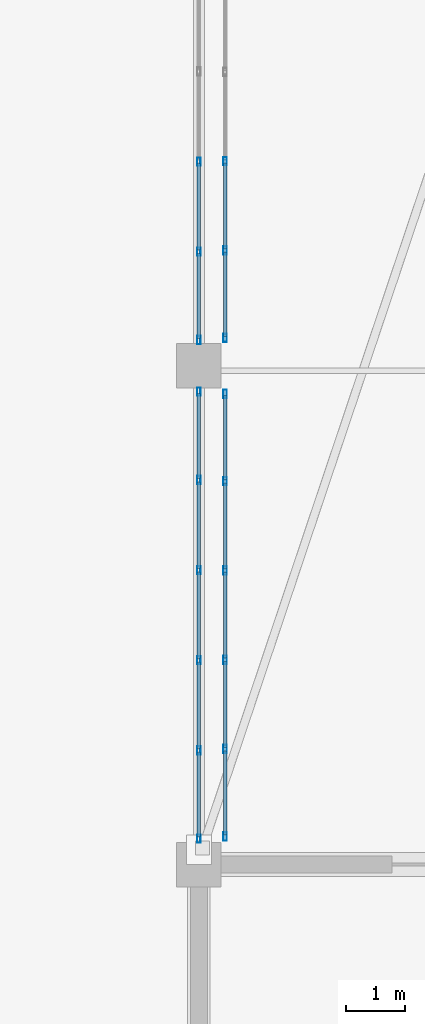
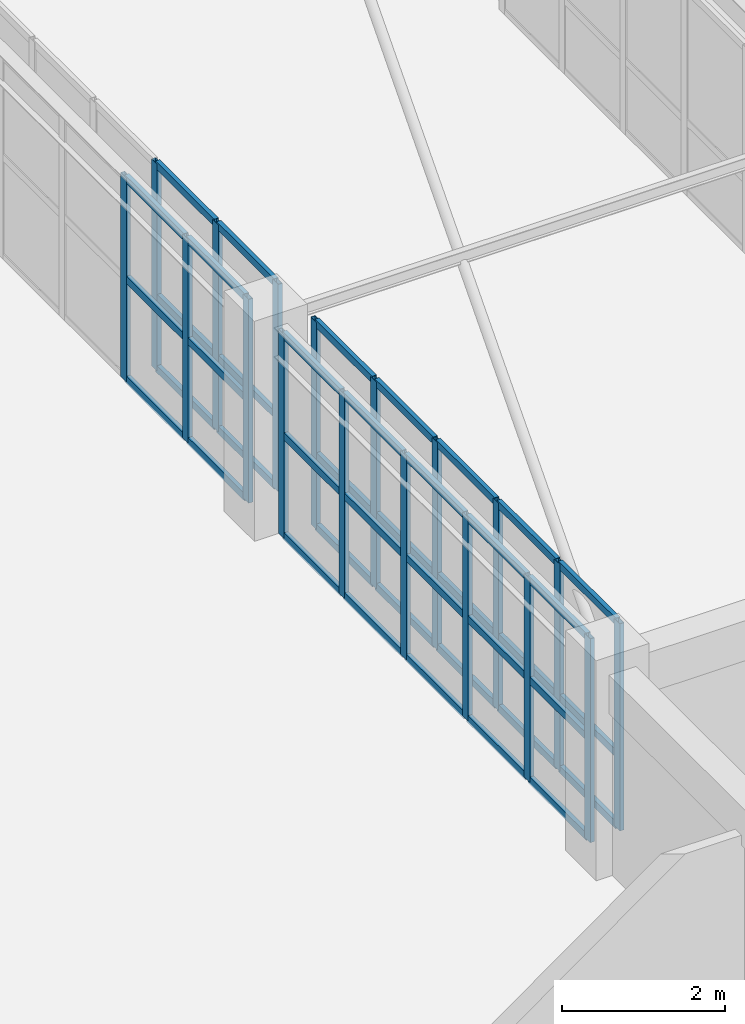
# One storey, part 92 of 200: 60 members, 4 elements without a shape of their own.
"""IFC4 building model written with IfcOpenShell, lengths in metres."""

from ifc_helpers import new_model, si_unit, direction, frame, origin, origin_2d, place, context, subcontext, project, spatial, hollow_rectangle, extrude, material, layer, layer_set, material_profile, profile_set, type_object, element, aggregate, save


model = new_model("IFC4")

# Units and contexts
model_context = context("Model", 3, precision=1e-05, world=origin(), true_north=direction((0.0, 1.0)))
body_context = subcontext(model_context, "Body", "Model", "MODEL_VIEW")
ifc_project = project(units=[si_unit("LENGTHUNIT", "METRE"), si_unit("AREAUNIT", "SQUARE_METRE"), si_unit("VOLUMEUNIT", "CUBIC_METRE"), si_unit("PLANEANGLEUNIT", "RADIAN"), si_unit("MASSUNIT", "GRAM", prefix="KILO")], contexts=[model_context])

# Site, building, storey
site_placement = place(None, origin())
site = spatial("IfcSite", under=ifc_project, at=site_placement, CompositionType="ELEMENT")
building_placement = place(site_placement, origin())
building = spatial("IfcBuilding", under=site, at=building_placement, Name="Trelvath General Hospital", CompositionType="ELEMENT")
storey_placement = place(building_placement, frame((0.0, 0.0, 4.800048828125)))
storey = spatial("IfcBuildingStorey", under=building, at=storey_placement, Name="L01", CompositionType="ELEMENT", Elevation=4.800048828125)

# Curtain wall, members
ifc_material_1 = material(Name="Anodised aluminium and low-E glass", Category="aluminium")
ifc_layer_1 = layer(ifc_material_1, 0.14990234375)
ifc_layer_set_1 = layer_set([ifc_layer_1], Name="Anodised aluminium and low-E glass")
curtain_wall_type_1 = type_object("IfcCurtainWallType", Name="CW CrystalCube 759 306 15", PredefinedType="USERDEFINED", material=ifc_layer_set_1)
curtain_wall_1_placement = place(storey_placement, origin())
curtain_wall_1 = element("IfcCurtainWall", 1, at=curtain_wall_1_placement, inside=storey, type_object=curtain_wall_type_1, Name="Crystal Cube Curtain Wall CUBE-W-T0 E5 L01", ObjectType="Unitised Glazed Curtain Wall", PredefinedType="USERDEFINED")
ifc_material_2 = material(Name="Anodised aluminium", Category="aluminium")
ifc_material_profile_1 = material_profile(ifc_material_2, hollow_rectangle(XDim=0.06005859375, YDim=0.139892578125, WallThickness=0.00390625, at=origin_2d()), Name="RHS60x140x4")
ifc_profile_set_1 = profile_set([ifc_material_profile_1], Name="Anodised aluminium")
member_type_1 = type_object("IfcMemberType", Name="CurtainMullion 60x140", PredefinedType="MULLION", material=ifc_profile_set_1)
member_1_placement = place(storey_placement, frame((75.60009765625, 75.1650390625, 0.0), z_axis=(0.0, 0.0, 1.0), x_axis=(1.0, 0.0, 0.0)))
member_1 = element("IfcMember", 2, at=member_1_placement, type_object=member_type_1, Name="CW-145 mullion 1", PredefinedType="MULLION", context=body_context, shape_type="SweptSolid", body=[
    extrude(hollow_rectangle(XDim=0.06005859375, YDim=0.139892578125, WallThickness=0.00390625, at=origin_2d()), origin(), (0.0, 0.0, 1.0), 3.06005859375),
])
member_2_placement = place(storey_placement, frame((75.60009765625, 73.677001953125, 0.0), z_axis=(0.0, 0.0, 1.0), x_axis=(1.0, 0.0, 0.0)))
member_2 = element("IfcMember", 3, at=member_2_placement, type_object=member_type_1, Name="CW-145 mullion 2", PredefinedType="MULLION", context=body_context, shape_type="SweptSolid", body=[
    extrude(hollow_rectangle(XDim=0.06005859375, YDim=0.139892578125, WallThickness=0.00390625, at=origin_2d()), origin(), (0.0, 0.0, 1.0), 3.06005859375),
])
member_3_placement = place(storey_placement, frame((75.60009765625, 72.158935546875, 0.0), z_axis=(0.0, 0.0, 1.0), x_axis=(1.0, 0.0, 0.0)))
member_3 = element("IfcMember", 4, at=member_3_placement, type_object=member_type_1, Name="CW-145 mullion 3", PredefinedType="MULLION", context=body_context, shape_type="SweptSolid", body=[
    extrude(hollow_rectangle(XDim=0.06005859375, YDim=0.139892578125, WallThickness=0.00390625, at=origin_2d()), origin(), (0.0, 0.0, 1.0), 3.06005859375),
])
member_4_placement = place(storey_placement, frame((75.60009765625, 70.64111328125, 0.0), z_axis=(0.0, 0.0, 1.0), x_axis=(1.0, 0.0, 0.0)))
member_4 = element("IfcMember", 5, at=member_4_placement, type_object=member_type_1, Name="CW-145 mullion 4", PredefinedType="MULLION", context=body_context, shape_type="SweptSolid", body=[
    extrude(hollow_rectangle(XDim=0.06005859375, YDim=0.139892578125, WallThickness=0.00390625, at=origin_2d()), origin(), (0.0, 0.0, 1.0), 3.06005859375),
])
member_5_placement = place(storey_placement, frame((75.60009765625, 69.123046875, 0.0), z_axis=(0.0, 0.0, 1.0), x_axis=(1.0, 0.0, 0.0)))
member_5 = element("IfcMember", 6, at=member_5_placement, type_object=member_type_1, Name="CW-145 mullion 5", PredefinedType="MULLION", context=body_context, shape_type="SweptSolid", body=[
    extrude(hollow_rectangle(XDim=0.06005859375, YDim=0.139892578125, WallThickness=0.00390625, at=origin_2d()), origin(), (0.0, 0.0, 1.0), 3.06005859375),
])
member_6_placement = place(storey_placement, frame((75.60009765625, 67.635009765625, 0.0), z_axis=(0.0, 0.0, 1.0), x_axis=(1.0, 0.0, 0.0)))
member_6 = element("IfcMember", 7, at=member_6_placement, type_object=member_type_1, Name="CW-145 mullion 6", PredefinedType="MULLION", context=body_context, shape_type="SweptSolid", body=[
    extrude(hollow_rectangle(XDim=0.06005859375, YDim=0.139892578125, WallThickness=0.00390625, at=origin_2d()), origin(), (0.0, 0.0, 1.0), 3.06005859375),
])

curtain_wall_2_placement = place(storey_placement, origin())
curtain_wall_2 = element("IfcCurtainWall", 8, at=curtain_wall_2_placement, inside=storey, type_object=curtain_wall_type_1, Name="Crystal Cube Curtain Wall CUBE-W-T0 E6 L01", ObjectType="Unitised Glazed Curtain Wall", PredefinedType="USERDEFINED")
member_7_placement = place(storey_placement, frame((75.60009765625, 79.041015625, 0.0), z_axis=(0.0, 0.0, 1.0), x_axis=(1.0, 0.0, 0.0)))
member_7 = element("IfcMember", 9, at=member_7_placement, type_object=member_type_1, Name="CW-147 mullion 4", PredefinedType="MULLION", context=body_context, shape_type="SweptSolid", body=[
    extrude(hollow_rectangle(XDim=0.06005859375, YDim=0.139892578125, WallThickness=0.00390625, at=origin_2d()), origin(), (0.0, 0.0, 1.0), 3.06005859375),
])
member_8_placement = place(storey_placement, frame((75.60009765625, 77.52294921875, 0.0), z_axis=(0.0, 0.0, 1.0), x_axis=(1.0, 0.0, 0.0)))
member_8 = element("IfcMember", 10, at=member_8_placement, type_object=member_type_1, Name="CW-147 mullion 5", PredefinedType="MULLION", context=body_context, shape_type="SweptSolid", body=[
    extrude(hollow_rectangle(XDim=0.06005859375, YDim=0.139892578125, WallThickness=0.00390625, at=origin_2d()), origin(), (0.0, 0.0, 1.0), 3.06005859375),
])
member_9_placement = place(storey_placement, frame((75.60009765625, 76.034912109375, 0.0), z_axis=(0.0, 0.0, 1.0), x_axis=(1.0, 0.0, 0.0)))
member_9 = element("IfcMember", 11, at=member_9_placement, type_object=member_type_1, Name="CW-147 mullion 6", PredefinedType="MULLION", context=body_context, shape_type="SweptSolid", body=[
    extrude(hollow_rectangle(XDim=0.06005859375, YDim=0.139892578125, WallThickness=0.00390625, at=origin_2d()), origin(), (0.0, 0.0, 1.0), 3.06005859375),
])

ifc_material_3 = material(Name="Anodised aluminium and low-E glass", Category="aluminium")
ifc_layer_2 = layer(ifc_material_3, 0.139892578125)
ifc_layer_set_2 = layer_set([ifc_layer_2], Name="Anodised aluminium and low-E glass")
curtain_wall_type_2 = type_object("IfcCurtainWallType", Name="CW Bridge 752 311", PredefinedType="USERDEFINED", material=ifc_layer_set_2)
curtain_wall_3_placement = place(storey_placement, origin())
curtain_wall_3 = element("IfcCurtainWall", 12, at=curtain_wall_3_placement, inside=storey, type_object=curtain_wall_type_2, Name="Glazed Bridge Curtain Wall BRG-N-C W L01", ObjectType="Unitised Glazed Curtain Wall", PredefinedType="USERDEFINED")
member_10_placement = place(storey_placement, frame((76.0400390625, 67.669921875, 0.0), z_axis=(0.0, 0.0, 1.0), x_axis=(-1.0, 0.0, 0.0)))
member_10 = element("IfcMember", 13, at=member_10_placement, type_object=member_type_1, Name="CW-172 mullion 1", PredefinedType="MULLION", context=body_context, shape_type="SweptSolid", body=[
    extrude(hollow_rectangle(XDim=0.06005859375, YDim=0.139892578125, WallThickness=0.00390625, at=origin_2d()), origin(), (0.0, 0.0, 1.0), 3.10986328125),
])
member_11_placement = place(storey_placement, frame((76.0400390625, 69.14404296875, 0.0), z_axis=(0.0, 0.0, 1.0), x_axis=(-1.0, 0.0, 0.0)))
member_11 = element("IfcMember", 14, at=member_11_placement, type_object=member_type_1, Name="CW-172 mullion 2", PredefinedType="MULLION", context=body_context, shape_type="SweptSolid", body=[
    extrude(hollow_rectangle(XDim=0.06005859375, YDim=0.139892578125, WallThickness=0.00390625, at=origin_2d()), origin(), (0.0, 0.0, 1.0), 3.10986328125),
])
member_12_placement = place(storey_placement, frame((76.0400390625, 70.64794921875, 0.0), z_axis=(0.0, 0.0, 1.0), x_axis=(-1.0, 0.0, 0.0)))
member_12 = element("IfcMember", 15, at=member_12_placement, type_object=member_type_1, Name="CW-172 mullion 3", PredefinedType="MULLION", context=body_context, shape_type="SweptSolid", body=[
    extrude(hollow_rectangle(XDim=0.06005859375, YDim=0.139892578125, WallThickness=0.00390625, at=origin_2d()), origin(), (0.0, 0.0, 1.0), 3.10986328125),
])
member_13_placement = place(storey_placement, frame((76.0400390625, 72.152099609375, 0.0), z_axis=(0.0, 0.0, 1.0), x_axis=(-1.0, 0.0, 0.0)))
member_13 = element("IfcMember", 16, at=member_13_placement, type_object=member_type_1, Name="CW-172 mullion 4", PredefinedType="MULLION", context=body_context, shape_type="SweptSolid", body=[
    extrude(hollow_rectangle(XDim=0.06005859375, YDim=0.139892578125, WallThickness=0.00390625, at=origin_2d()), origin(), (0.0, 0.0, 1.0), 3.10986328125),
])
member_14_placement = place(storey_placement, frame((76.0400390625, 73.656005859375, 0.0), z_axis=(0.0, 0.0, 1.0), x_axis=(-1.0, 0.0, 0.0)))
member_14 = element("IfcMember", 17, at=member_14_placement, type_object=member_type_1, Name="CW-172 mullion 5", PredefinedType="MULLION", context=body_context, shape_type="SweptSolid", body=[
    extrude(hollow_rectangle(XDim=0.06005859375, YDim=0.139892578125, WallThickness=0.00390625, at=origin_2d()), origin(), (0.0, 0.0, 1.0), 3.10986328125),
])
member_15_placement = place(storey_placement, frame((76.0400390625, 75.1298828125, 0.0), z_axis=(0.0, 0.0, 1.0), x_axis=(-1.0, 0.0, 0.0)))
member_15 = element("IfcMember", 18, at=member_15_placement, type_object=member_type_1, Name="CW-172 mullion 6", PredefinedType="MULLION", context=body_context, shape_type="SweptSolid", body=[
    extrude(hollow_rectangle(XDim=0.06005859375, YDim=0.139892578125, WallThickness=0.00390625, at=origin_2d()), origin(), (0.0, 0.0, 1.0), 3.10986328125),
])

curtain_wall_4_placement = place(storey_placement, origin())
curtain_wall_4 = element("IfcCurtainWall", 19, at=curtain_wall_4_placement, inside=storey, type_object=curtain_wall_type_2, Name="Glazed Bridge Curtain Wall BRG-N-C W L01", ObjectType="Unitised Glazed Curtain Wall", PredefinedType="USERDEFINED")
member_16_placement = place(storey_placement, frame((76.0400390625, 76.070068359375, 0.0), z_axis=(0.0, 0.0, 1.0), x_axis=(-1.0, 0.0, 0.0)))
member_16 = element("IfcMember", 20, at=member_16_placement, type_object=member_type_1, Name="CW-174 mullion 1", PredefinedType="MULLION", context=body_context, shape_type="SweptSolid", body=[
    extrude(hollow_rectangle(XDim=0.06005859375, YDim=0.139892578125, WallThickness=0.00390625, at=origin_2d()), origin(), (0.0, 0.0, 1.0), 3.10986328125),
])
member_17_placement = place(storey_placement, frame((76.0400390625, 77.5439453125, 0.0), z_axis=(0.0, 0.0, 1.0), x_axis=(-1.0, 0.0, 0.0)))
member_17 = element("IfcMember", 21, at=member_17_placement, type_object=member_type_1, Name="CW-174 mullion 2", PredefinedType="MULLION", context=body_context, shape_type="SweptSolid", body=[
    extrude(hollow_rectangle(XDim=0.06005859375, YDim=0.139892578125, WallThickness=0.00390625, at=origin_2d()), origin(), (0.0, 0.0, 1.0), 3.10986328125),
])
member_18_placement = place(storey_placement, frame((76.0400390625, 79.048095703125, 0.0), z_axis=(0.0, 0.0, 1.0), x_axis=(-1.0, 0.0, 0.0)))
member_18 = element("IfcMember", 22, at=member_18_placement, type_object=member_type_1, Name="CW-174 mullion 3", PredefinedType="MULLION", context=body_context, shape_type="SweptSolid", body=[
    extrude(hollow_rectangle(XDim=0.06005859375, YDim=0.139892578125, WallThickness=0.00390625, at=origin_2d()), origin(), (0.0, 0.0, 1.0), 3.10986328125),
])

# Member
ifc_material_4 = material(Name="Anodised aluminium", Category="aluminium")
ifc_material_profile_2 = material_profile(ifc_material_4, hollow_rectangle(XDim=0.06005859375, YDim=0.110107421875, WallThickness=0.00390625, at=origin_2d()), Name="RHS60x110x4")
ifc_profile_set_2 = profile_set([ifc_material_profile_2], Name="Anodised aluminium")
member_type_2 = type_object("IfcMemberType", Name="CurtainTransom 60x110", PredefinedType="USERDEFINED", material=ifc_profile_set_2)
member_19_placement = place(storey_placement, frame((75.60009765625, 75.135009765625, 0.030029296875), z_axis=(0.0, -1.0, 0.0), x_axis=(1.0, 0.0, 0.0)))
member_19 = element("IfcMember", 23, at=member_19_placement, type_object=member_type_2, Name="CW-145 transom 1.1", ObjectType="TRANSOM", PredefinedType="USERDEFINED", context=body_context, shape_type="SweptSolid", body=[
    extrude(hollow_rectangle(XDim=0.06005859375, YDim=0.110107421875, WallThickness=0.00390625, at=origin_2d()), origin(), (0.0, 0.0, 1.0), 1.427978515625),
])

member_20_placement = place(storey_placement, frame((75.60009765625, 75.135009765625, 1.530029296875), z_axis=(0.0, -1.0, 0.0), x_axis=(1.0, 0.0, 0.0)))
member_20 = element("IfcMember", 24, at=member_20_placement, type_object=member_type_2, Name="CW-145 transom 1.2", ObjectType="TRANSOM", PredefinedType="USERDEFINED", context=body_context, shape_type="SweptSolid", body=[
    extrude(hollow_rectangle(XDim=0.06005859375, YDim=0.110107421875, WallThickness=0.00390625, at=origin_2d()), origin(), (0.0, 0.0, 1.0), 1.427978515625),
])

member_21_placement = place(storey_placement, frame((75.60009765625, 75.135009765625, 3.030029296875), z_axis=(0.0, -1.0, 0.0), x_axis=(1.0, 0.0, 0.0)))
member_21 = element("IfcMember", 25, at=member_21_placement, type_object=member_type_2, Name="CW-145 transom 1.3", ObjectType="TRANSOM", PredefinedType="USERDEFINED", context=body_context, shape_type="SweptSolid", body=[
    extrude(hollow_rectangle(XDim=0.06005859375, YDim=0.110107421875, WallThickness=0.00390625, at=origin_2d()), origin(), (0.0, 0.0, 1.0), 1.427978515625),
])

member_22_placement = place(storey_placement, frame((75.60009765625, 73.64697265625, 0.030029296875), z_axis=(0.0, -1.0, 0.0), x_axis=(1.0, 0.0, 0.0)))
member_22 = element("IfcMember", 26, at=member_22_placement, type_object=member_type_2, Name="CW-145 transom 2.1", ObjectType="TRANSOM", PredefinedType="USERDEFINED", context=body_context, shape_type="SweptSolid", body=[
    extrude(hollow_rectangle(XDim=0.06005859375, YDim=0.110107421875, WallThickness=0.00390625, at=origin_2d()), origin(), (0.0, 0.0, 1.0), 1.4580078125),
])

member_23_placement = place(storey_placement, frame((75.60009765625, 73.64697265625, 1.530029296875), z_axis=(0.0, -1.0, 0.0), x_axis=(1.0, 0.0, 0.0)))
member_23 = element("IfcMember", 27, at=member_23_placement, type_object=member_type_2, Name="CW-145 transom 2.2", ObjectType="TRANSOM", PredefinedType="USERDEFINED", context=body_context, shape_type="SweptSolid", body=[
    extrude(hollow_rectangle(XDim=0.06005859375, YDim=0.110107421875, WallThickness=0.00390625, at=origin_2d()), origin(), (0.0, 0.0, 1.0), 1.4580078125),
])

member_24_placement = place(storey_placement, frame((75.60009765625, 73.64697265625, 3.030029296875), z_axis=(0.0, -1.0, 0.0), x_axis=(1.0, 0.0, 0.0)))
member_24 = element("IfcMember", 28, at=member_24_placement, type_object=member_type_2, Name="CW-145 transom 2.3", ObjectType="TRANSOM", PredefinedType="USERDEFINED", context=body_context, shape_type="SweptSolid", body=[
    extrude(hollow_rectangle(XDim=0.06005859375, YDim=0.110107421875, WallThickness=0.00390625, at=origin_2d()), origin(), (0.0, 0.0, 1.0), 1.4580078125),
])

member_25_placement = place(storey_placement, frame((75.60009765625, 72.12890625, 0.030029296875), z_axis=(0.0, -1.0, 0.0), x_axis=(1.0, 0.0, 0.0)))
member_25 = element("IfcMember", 29, at=member_25_placement, type_object=member_type_2, Name="CW-145 transom 3.1", ObjectType="TRANSOM", PredefinedType="USERDEFINED", context=body_context, shape_type="SweptSolid", body=[
    extrude(hollow_rectangle(XDim=0.06005859375, YDim=0.110107421875, WallThickness=0.00390625, at=origin_2d()), origin(), (0.0, 0.0, 1.0), 1.4580078125),
])

member_26_placement = place(storey_placement, frame((75.60009765625, 72.12890625, 1.530029296875), z_axis=(0.0, -1.0, 0.0), x_axis=(1.0, 0.0, 0.0)))
member_26 = element("IfcMember", 30, at=member_26_placement, type_object=member_type_2, Name="CW-145 transom 3.2", ObjectType="TRANSOM", PredefinedType="USERDEFINED", context=body_context, shape_type="SweptSolid", body=[
    extrude(hollow_rectangle(XDim=0.06005859375, YDim=0.110107421875, WallThickness=0.00390625, at=origin_2d()), origin(), (0.0, 0.0, 1.0), 1.4580078125),
])

member_27_placement = place(storey_placement, frame((75.60009765625, 72.12890625, 3.030029296875), z_axis=(0.0, -1.0, 0.0), x_axis=(1.0, 0.0, 0.0)))
member_27 = element("IfcMember", 31, at=member_27_placement, type_object=member_type_2, Name="CW-145 transom 3.3", ObjectType="TRANSOM", PredefinedType="USERDEFINED", context=body_context, shape_type="SweptSolid", body=[
    extrude(hollow_rectangle(XDim=0.06005859375, YDim=0.110107421875, WallThickness=0.00390625, at=origin_2d()), origin(), (0.0, 0.0, 1.0), 1.4580078125),
])

member_28_placement = place(storey_placement, frame((75.60009765625, 70.611083984375, 0.030029296875), z_axis=(0.0, -1.0, 0.0), x_axis=(1.0, 0.0, 0.0)))
member_28 = element("IfcMember", 32, at=member_28_placement, type_object=member_type_2, Name="CW-145 transom 4.1", ObjectType="TRANSOM", PredefinedType="USERDEFINED", context=body_context, shape_type="SweptSolid", body=[
    extrude(hollow_rectangle(XDim=0.06005859375, YDim=0.110107421875, WallThickness=0.00390625, at=origin_2d()), origin(), (0.0, 0.0, 1.0), 1.4580078125),
])

member_29_placement = place(storey_placement, frame((75.60009765625, 70.611083984375, 1.530029296875), z_axis=(0.0, -1.0, 0.0), x_axis=(1.0, 0.0, 0.0)))
member_29 = element("IfcMember", 33, at=member_29_placement, type_object=member_type_2, Name="CW-145 transom 4.2", ObjectType="TRANSOM", PredefinedType="USERDEFINED", context=body_context, shape_type="SweptSolid", body=[
    extrude(hollow_rectangle(XDim=0.06005859375, YDim=0.110107421875, WallThickness=0.00390625, at=origin_2d()), origin(), (0.0, 0.0, 1.0), 1.4580078125),
])

member_30_placement = place(storey_placement, frame((75.60009765625, 70.611083984375, 3.030029296875), z_axis=(0.0, -1.0, 0.0), x_axis=(1.0, 0.0, 0.0)))
member_30 = element("IfcMember", 34, at=member_30_placement, type_object=member_type_2, Name="CW-145 transom 4.3", ObjectType="TRANSOM", PredefinedType="USERDEFINED", context=body_context, shape_type="SweptSolid", body=[
    extrude(hollow_rectangle(XDim=0.06005859375, YDim=0.110107421875, WallThickness=0.00390625, at=origin_2d()), origin(), (0.0, 0.0, 1.0), 1.4580078125),
])

member_31_placement = place(storey_placement, frame((75.60009765625, 69.093017578125, 0.030029296875), z_axis=(0.0, -1.0, 0.0), x_axis=(1.0, 0.0, 0.0)))
member_31 = element("IfcMember", 35, at=member_31_placement, type_object=member_type_2, Name="CW-145 transom 5.1", ObjectType="TRANSOM", PredefinedType="USERDEFINED", context=body_context, shape_type="SweptSolid", body=[
    extrude(hollow_rectangle(XDim=0.06005859375, YDim=0.110107421875, WallThickness=0.00390625, at=origin_2d()), origin(), (0.0, 0.0, 1.0), 1.427978515625),
])

member_32_placement = place(storey_placement, frame((75.60009765625, 69.093017578125, 1.530029296875), z_axis=(0.0, -1.0, 0.0), x_axis=(1.0, 0.0, 0.0)))
member_32 = element("IfcMember", 36, at=member_32_placement, type_object=member_type_2, Name="CW-145 transom 5.2", ObjectType="TRANSOM", PredefinedType="USERDEFINED", context=body_context, shape_type="SweptSolid", body=[
    extrude(hollow_rectangle(XDim=0.06005859375, YDim=0.110107421875, WallThickness=0.00390625, at=origin_2d()), origin(), (0.0, 0.0, 1.0), 1.427978515625),
])

member_33_placement = place(storey_placement, frame((75.60009765625, 69.093017578125, 3.030029296875), z_axis=(0.0, -1.0, 0.0), x_axis=(1.0, 0.0, 0.0)))
member_33 = element("IfcMember", 37, at=member_33_placement, type_object=member_type_2, Name="CW-145 transom 5.3", ObjectType="TRANSOM", PredefinedType="USERDEFINED", context=body_context, shape_type="SweptSolid", body=[
    extrude(hollow_rectangle(XDim=0.06005859375, YDim=0.110107421875, WallThickness=0.00390625, at=origin_2d()), origin(), (0.0, 0.0, 1.0), 1.427978515625),
])

aggregate(curtain_wall_1, [member_1, member_2, member_3, member_4, member_5, member_6, member_19, member_20, member_21, member_22, member_23, member_24, member_25, member_26, member_27, member_28, member_29, member_30, member_31, member_32, member_33])

member_34_placement = place(storey_placement, frame((75.60009765625, 79.010986328125, 0.030029296875), z_axis=(0.0, -1.0, 0.0), x_axis=(1.0, 0.0, 0.0)))
member_34 = element("IfcMember", 38, at=member_34_placement, type_object=member_type_2, Name="CW-147 transom 4.1", ObjectType="TRANSOM", PredefinedType="USERDEFINED", context=body_context, shape_type="SweptSolid", body=[
    extrude(hollow_rectangle(XDim=0.06005859375, YDim=0.110107421875, WallThickness=0.00390625, at=origin_2d()), origin(), (0.0, 0.0, 1.0), 1.4580078125),
])

member_35_placement = place(storey_placement, frame((75.60009765625, 79.010986328125, 1.530029296875), z_axis=(0.0, -1.0, 0.0), x_axis=(1.0, 0.0, 0.0)))
member_35 = element("IfcMember", 39, at=member_35_placement, type_object=member_type_2, Name="CW-147 transom 4.2", ObjectType="TRANSOM", PredefinedType="USERDEFINED", context=body_context, shape_type="SweptSolid", body=[
    extrude(hollow_rectangle(XDim=0.06005859375, YDim=0.110107421875, WallThickness=0.00390625, at=origin_2d()), origin(), (0.0, 0.0, 1.0), 1.4580078125),
])

member_36_placement = place(storey_placement, frame((75.60009765625, 79.010986328125, 3.030029296875), z_axis=(0.0, -1.0, 0.0), x_axis=(1.0, 0.0, 0.0)))
member_36 = element("IfcMember", 40, at=member_36_placement, type_object=member_type_2, Name="CW-147 transom 4.3", ObjectType="TRANSOM", PredefinedType="USERDEFINED", context=body_context, shape_type="SweptSolid", body=[
    extrude(hollow_rectangle(XDim=0.06005859375, YDim=0.110107421875, WallThickness=0.00390625, at=origin_2d()), origin(), (0.0, 0.0, 1.0), 1.4580078125),
])

member_37_placement = place(storey_placement, frame((75.60009765625, 77.492919921875, 0.030029296875), z_axis=(0.0, -1.0, 0.0), x_axis=(1.0, 0.0, 0.0)))
member_37 = element("IfcMember", 41, at=member_37_placement, type_object=member_type_2, Name="CW-147 transom 5.1", ObjectType="TRANSOM", PredefinedType="USERDEFINED", context=body_context, shape_type="SweptSolid", body=[
    extrude(hollow_rectangle(XDim=0.06005859375, YDim=0.110107421875, WallThickness=0.00390625, at=origin_2d()), origin(), (0.0, 0.0, 1.0), 1.427978515625),
])

member_38_placement = place(storey_placement, frame((75.60009765625, 77.492919921875, 1.530029296875), z_axis=(0.0, -1.0, 0.0), x_axis=(1.0, 0.0, 0.0)))
member_38 = element("IfcMember", 42, at=member_38_placement, type_object=member_type_2, Name="CW-147 transom 5.2", ObjectType="TRANSOM", PredefinedType="USERDEFINED", context=body_context, shape_type="SweptSolid", body=[
    extrude(hollow_rectangle(XDim=0.06005859375, YDim=0.110107421875, WallThickness=0.00390625, at=origin_2d()), origin(), (0.0, 0.0, 1.0), 1.427978515625),
])

member_39_placement = place(storey_placement, frame((75.60009765625, 77.492919921875, 3.030029296875), z_axis=(0.0, -1.0, 0.0), x_axis=(1.0, 0.0, 0.0)))
member_39 = element("IfcMember", 43, at=member_39_placement, type_object=member_type_2, Name="CW-147 transom 5.3", ObjectType="TRANSOM", PredefinedType="USERDEFINED", context=body_context, shape_type="SweptSolid", body=[
    extrude(hollow_rectangle(XDim=0.06005859375, YDim=0.110107421875, WallThickness=0.00390625, at=origin_2d()), origin(), (0.0, 0.0, 1.0), 1.427978515625),
])

aggregate(curtain_wall_2, [member_7, member_8, member_9, member_34, member_35, member_36, member_37, member_38, member_39])

member_40_placement = place(storey_placement, frame((76.0400390625, 67.699951171875, 0.030029296875), z_axis=(0.0, 1.0, 0.0), x_axis=(-1.0, 0.0, 0.0)))
member_40 = element("IfcMember", 44, at=member_40_placement, type_object=member_type_2, Name="CW-172 transom 1.1", ObjectType="TRANSOM", PredefinedType="USERDEFINED", context=body_context, shape_type="SweptSolid", body=[
    extrude(hollow_rectangle(XDim=0.06005859375, YDim=0.110107421875, WallThickness=0.00390625, at=origin_2d()), origin(), (0.0, 0.0, 1.0), 1.4140625),
])

member_41_placement = place(storey_placement, frame((76.0400390625, 67.699951171875, 1.099853515625), z_axis=(0.0, 1.0, 0.0), x_axis=(-1.0, 0.0, 0.0)))
member_41 = element("IfcMember", 45, at=member_41_placement, type_object=member_type_2, Name="CW-172 transom 1.2", ObjectType="TRANSOM", PredefinedType="USERDEFINED", context=body_context, shape_type="SweptSolid", body=[
    extrude(hollow_rectangle(XDim=0.06005859375, YDim=0.110107421875, WallThickness=0.00390625, at=origin_2d()), origin(), (0.0, 0.0, 1.0), 1.4140625),
])

member_42_placement = place(storey_placement, frame((76.0400390625, 67.699951171875, 3.079833984375), z_axis=(0.0, 1.0, 0.0), x_axis=(-1.0, 0.0, 0.0)))
member_42 = element("IfcMember", 46, at=member_42_placement, type_object=member_type_2, Name="CW-172 transom 1.3", ObjectType="TRANSOM", PredefinedType="USERDEFINED", context=body_context, shape_type="SweptSolid", body=[
    extrude(hollow_rectangle(XDim=0.06005859375, YDim=0.110107421875, WallThickness=0.00390625, at=origin_2d()), origin(), (0.0, 0.0, 1.0), 1.4140625),
])

member_43_placement = place(storey_placement, frame((76.0400390625, 69.174072265625, 0.030029296875), z_axis=(0.0, 1.0, 0.0), x_axis=(-1.0, 0.0, 0.0)))
member_43 = element("IfcMember", 47, at=member_43_placement, type_object=member_type_2, Name="CW-172 transom 2.1", ObjectType="TRANSOM", PredefinedType="USERDEFINED", context=body_context, shape_type="SweptSolid", body=[
    extrude(hollow_rectangle(XDim=0.06005859375, YDim=0.110107421875, WallThickness=0.00390625, at=origin_2d()), origin(), (0.0, 0.0, 1.0), 1.44384765625),
])

member_44_placement = place(storey_placement, frame((76.0400390625, 69.174072265625, 1.099853515625), z_axis=(0.0, 1.0, 0.0), x_axis=(-1.0, 0.0, 0.0)))
member_44 = element("IfcMember", 48, at=member_44_placement, type_object=member_type_2, Name="CW-172 transom 2.2", ObjectType="TRANSOM", PredefinedType="USERDEFINED", context=body_context, shape_type="SweptSolid", body=[
    extrude(hollow_rectangle(XDim=0.06005859375, YDim=0.110107421875, WallThickness=0.00390625, at=origin_2d()), origin(), (0.0, 0.0, 1.0), 1.44384765625),
])

member_45_placement = place(storey_placement, frame((76.0400390625, 69.174072265625, 3.079833984375), z_axis=(0.0, 1.0, 0.0), x_axis=(-1.0, 0.0, 0.0)))
member_45 = element("IfcMember", 49, at=member_45_placement, type_object=member_type_2, Name="CW-172 transom 2.3", ObjectType="TRANSOM", PredefinedType="USERDEFINED", context=body_context, shape_type="SweptSolid", body=[
    extrude(hollow_rectangle(XDim=0.06005859375, YDim=0.110107421875, WallThickness=0.00390625, at=origin_2d()), origin(), (0.0, 0.0, 1.0), 1.44384765625),
])

member_46_placement = place(storey_placement, frame((76.0400390625, 70.677978515625, 0.030029296875), z_axis=(0.0, 1.0, 0.0), x_axis=(-1.0, 0.0, 0.0)))
member_46 = element("IfcMember", 50, at=member_46_placement, type_object=member_type_2, Name="CW-172 transom 3.1", ObjectType="TRANSOM", PredefinedType="USERDEFINED", context=body_context, shape_type="SweptSolid", body=[
    extrude(hollow_rectangle(XDim=0.06005859375, YDim=0.110107421875, WallThickness=0.00390625, at=origin_2d()), origin(), (0.0, 0.0, 1.0), 1.444091796875),
])

member_47_placement = place(storey_placement, frame((76.0400390625, 70.677978515625, 1.099853515625), z_axis=(0.0, 1.0, 0.0), x_axis=(-1.0, 0.0, 0.0)))
member_47 = element("IfcMember", 51, at=member_47_placement, type_object=member_type_2, Name="CW-172 transom 3.2", ObjectType="TRANSOM", PredefinedType="USERDEFINED", context=body_context, shape_type="SweptSolid", body=[
    extrude(hollow_rectangle(XDim=0.06005859375, YDim=0.110107421875, WallThickness=0.00390625, at=origin_2d()), origin(), (0.0, 0.0, 1.0), 1.444091796875),
])

member_48_placement = place(storey_placement, frame((76.0400390625, 70.677978515625, 3.079833984375), z_axis=(0.0, 1.0, 0.0), x_axis=(-1.0, 0.0, 0.0)))
member_48 = element("IfcMember", 52, at=member_48_placement, type_object=member_type_2, Name="CW-172 transom 3.3", ObjectType="TRANSOM", PredefinedType="USERDEFINED", context=body_context, shape_type="SweptSolid", body=[
    extrude(hollow_rectangle(XDim=0.06005859375, YDim=0.110107421875, WallThickness=0.00390625, at=origin_2d()), origin(), (0.0, 0.0, 1.0), 1.444091796875),
])

member_49_placement = place(storey_placement, frame((76.0400390625, 72.181884765625, 0.030029296875), z_axis=(0.0, 1.0, 0.0), x_axis=(-1.0, 0.0, 0.0)))
member_49 = element("IfcMember", 53, at=member_49_placement, type_object=member_type_2, Name="CW-172 transom 4.1", ObjectType="TRANSOM", PredefinedType="USERDEFINED", context=body_context, shape_type="SweptSolid", body=[
    extrude(hollow_rectangle(XDim=0.06005859375, YDim=0.110107421875, WallThickness=0.00390625, at=origin_2d()), origin(), (0.0, 0.0, 1.0), 1.444091796875),
])

member_50_placement = place(storey_placement, frame((76.0400390625, 72.181884765625, 1.099853515625), z_axis=(0.0, 1.0, 0.0), x_axis=(-1.0, 0.0, 0.0)))
member_50 = element("IfcMember", 54, at=member_50_placement, type_object=member_type_2, Name="CW-172 transom 4.2", ObjectType="TRANSOM", PredefinedType="USERDEFINED", context=body_context, shape_type="SweptSolid", body=[
    extrude(hollow_rectangle(XDim=0.06005859375, YDim=0.110107421875, WallThickness=0.00390625, at=origin_2d()), origin(), (0.0, 0.0, 1.0), 1.444091796875),
])

member_51_placement = place(storey_placement, frame((76.0400390625, 72.181884765625, 3.079833984375), z_axis=(0.0, 1.0, 0.0), x_axis=(-1.0, 0.0, 0.0)))
member_51 = element("IfcMember", 55, at=member_51_placement, type_object=member_type_2, Name="CW-172 transom 4.3", ObjectType="TRANSOM", PredefinedType="USERDEFINED", context=body_context, shape_type="SweptSolid", body=[
    extrude(hollow_rectangle(XDim=0.06005859375, YDim=0.110107421875, WallThickness=0.00390625, at=origin_2d()), origin(), (0.0, 0.0, 1.0), 1.444091796875),
])

member_52_placement = place(storey_placement, frame((76.0400390625, 73.68603515625, 0.030029296875), z_axis=(0.0, 1.0, 0.0), x_axis=(-1.0, 0.0, 0.0)))
member_52 = element("IfcMember", 56, at=member_52_placement, type_object=member_type_2, Name="CW-172 transom 5.1", ObjectType="TRANSOM", PredefinedType="USERDEFINED", context=body_context, shape_type="SweptSolid", body=[
    extrude(hollow_rectangle(XDim=0.06005859375, YDim=0.110107421875, WallThickness=0.00390625, at=origin_2d()), origin(), (0.0, 0.0, 1.0), 1.4140625),
])

member_53_placement = place(storey_placement, frame((76.0400390625, 73.68603515625, 1.099853515625), z_axis=(0.0, 1.0, 0.0), x_axis=(-1.0, 0.0, 0.0)))
member_53 = element("IfcMember", 57, at=member_53_placement, type_object=member_type_2, Name="CW-172 transom 5.2", ObjectType="TRANSOM", PredefinedType="USERDEFINED", context=body_context, shape_type="SweptSolid", body=[
    extrude(hollow_rectangle(XDim=0.06005859375, YDim=0.110107421875, WallThickness=0.00390625, at=origin_2d()), origin(), (0.0, 0.0, 1.0), 1.4140625),
])

member_54_placement = place(storey_placement, frame((76.0400390625, 73.68603515625, 3.079833984375), z_axis=(0.0, 1.0, 0.0), x_axis=(-1.0, 0.0, 0.0)))
member_54 = element("IfcMember", 58, at=member_54_placement, type_object=member_type_2, Name="CW-172 transom 5.3", ObjectType="TRANSOM", PredefinedType="USERDEFINED", context=body_context, shape_type="SweptSolid", body=[
    extrude(hollow_rectangle(XDim=0.06005859375, YDim=0.110107421875, WallThickness=0.00390625, at=origin_2d()), origin(), (0.0, 0.0, 1.0), 1.4140625),
])

aggregate(curtain_wall_3, [member_10, member_11, member_12, member_13, member_14, member_15, member_40, member_41, member_42, member_43, member_44, member_45, member_46, member_47, member_48, member_49, member_50, member_51, member_52, member_53, member_54])

member_55_placement = place(storey_placement, frame((76.0400390625, 76.10009765625, 0.030029296875), z_axis=(0.0, 1.0, 0.0), x_axis=(-1.0, 0.0, 0.0)))
member_55 = element("IfcMember", 59, at=member_55_placement, type_object=member_type_2, Name="CW-174 transom 1.1", ObjectType="TRANSOM", PredefinedType="USERDEFINED", context=body_context, shape_type="SweptSolid", body=[
    extrude(hollow_rectangle(XDim=0.06005859375, YDim=0.110107421875, WallThickness=0.00390625, at=origin_2d()), origin(), (0.0, 0.0, 1.0), 1.413818359375),
])

member_56_placement = place(storey_placement, frame((76.0400390625, 76.10009765625, 1.099853515625), z_axis=(0.0, 1.0, 0.0), x_axis=(-1.0, 0.0, 0.0)))
member_56 = element("IfcMember", 60, at=member_56_placement, type_object=member_type_2, Name="CW-174 transom 1.2", ObjectType="TRANSOM", PredefinedType="USERDEFINED", context=body_context, shape_type="SweptSolid", body=[
    extrude(hollow_rectangle(XDim=0.06005859375, YDim=0.110107421875, WallThickness=0.00390625, at=origin_2d()), origin(), (0.0, 0.0, 1.0), 1.413818359375),
])

member_57_placement = place(storey_placement, frame((76.0400390625, 76.10009765625, 3.079833984375), z_axis=(0.0, 1.0, 0.0), x_axis=(-1.0, 0.0, 0.0)))
member_57 = element("IfcMember", 61, at=member_57_placement, type_object=member_type_2, Name="CW-174 transom 1.3", ObjectType="TRANSOM", PredefinedType="USERDEFINED", context=body_context, shape_type="SweptSolid", body=[
    extrude(hollow_rectangle(XDim=0.06005859375, YDim=0.110107421875, WallThickness=0.00390625, at=origin_2d()), origin(), (0.0, 0.0, 1.0), 1.413818359375),
])

member_58_placement = place(storey_placement, frame((76.0400390625, 77.573974609375, 0.030029296875), z_axis=(0.0, 1.0, 0.0), x_axis=(-1.0, 0.0, 0.0)))
member_58 = element("IfcMember", 62, at=member_58_placement, type_object=member_type_2, Name="CW-174 transom 2.1", ObjectType="TRANSOM", PredefinedType="USERDEFINED", context=body_context, shape_type="SweptSolid", body=[
    extrude(hollow_rectangle(XDim=0.06005859375, YDim=0.110107421875, WallThickness=0.00390625, at=origin_2d()), origin(), (0.0, 0.0, 1.0), 1.444091796875),
])

member_59_placement = place(storey_placement, frame((76.0400390625, 77.573974609375, 1.099853515625), z_axis=(0.0, 1.0, 0.0), x_axis=(-1.0, 0.0, 0.0)))
member_59 = element("IfcMember", 63, at=member_59_placement, type_object=member_type_2, Name="CW-174 transom 2.2", ObjectType="TRANSOM", PredefinedType="USERDEFINED", context=body_context, shape_type="SweptSolid", body=[
    extrude(hollow_rectangle(XDim=0.06005859375, YDim=0.110107421875, WallThickness=0.00390625, at=origin_2d()), origin(), (0.0, 0.0, 1.0), 1.444091796875),
])

member_60_placement = place(storey_placement, frame((76.0400390625, 77.573974609375, 3.079833984375), z_axis=(0.0, 1.0, 0.0), x_axis=(-1.0, 0.0, 0.0)))
member_60 = element("IfcMember", 64, at=member_60_placement, type_object=member_type_2, Name="CW-174 transom 2.3", ObjectType="TRANSOM", PredefinedType="USERDEFINED", context=body_context, shape_type="SweptSolid", body=[
    extrude(hollow_rectangle(XDim=0.06005859375, YDim=0.110107421875, WallThickness=0.00390625, at=origin_2d()), origin(), (0.0, 0.0, 1.0), 1.444091796875),
])

aggregate(curtain_wall_4, [member_16, member_17, member_18, member_55, member_56, member_57, member_58, member_59, member_60])

save(model, "model.ifc")
